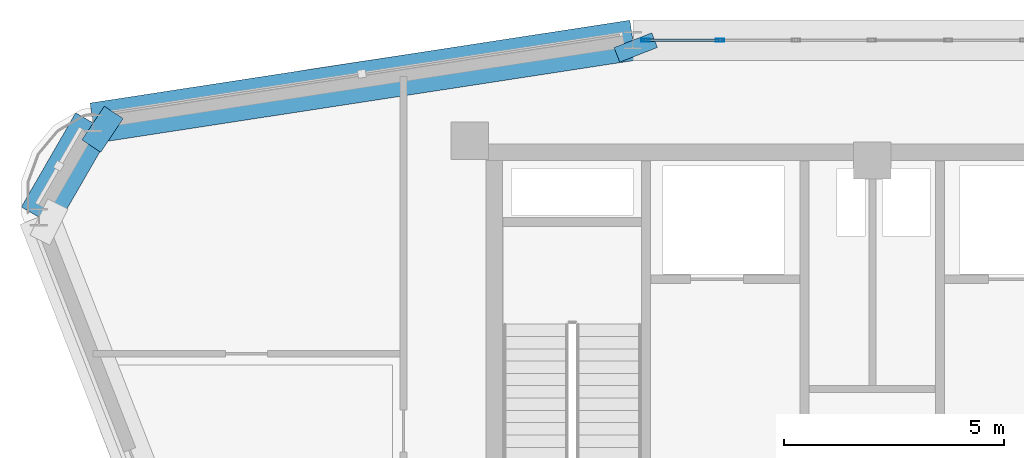
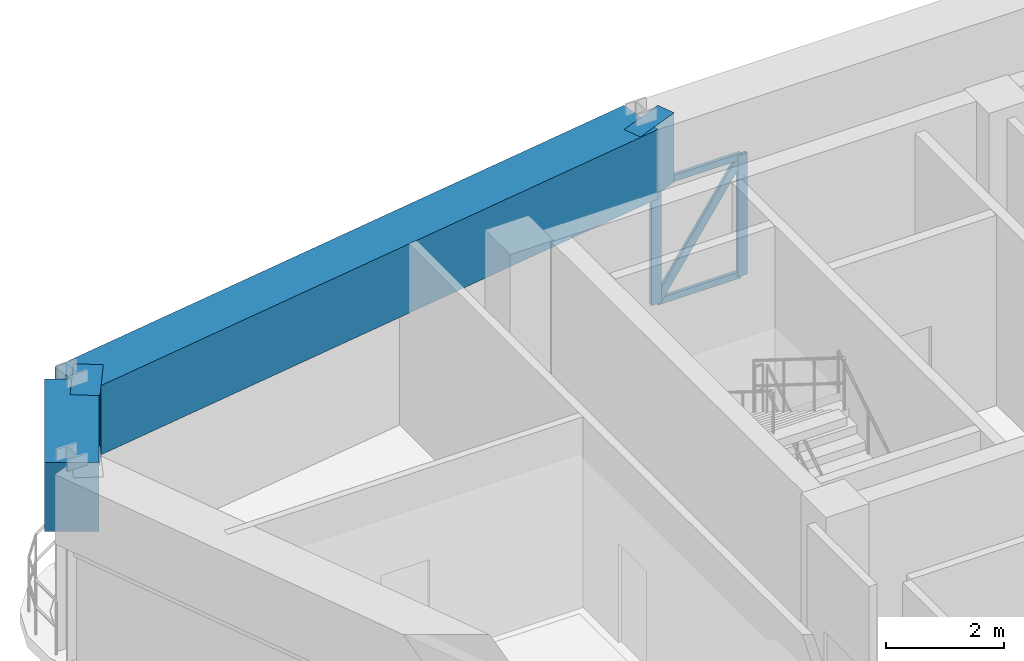
# One storey, part 8 of 16: 5 members, 4 beams, 1 element without a shape of its own.
"""IFC4 building model written with IfcOpenShell, lengths in metres."""

from ifc_helpers import new_model, si_unit, derived_unit, direction, frame, origin, origin_2d, place, context, subcontext, project, spatial, rectangle, hollow_rectangle, extrude, source, transform, mapped, material, layer, layer_set, material_profile, profile_set, type_object, element, aggregate, save


model = new_model("IFC4")

# Units and contexts
model_context = context("Model", 3, precision=1e-05, world=origin(), true_north=direction((0.0, 1.0)))
body_context = subcontext(model_context, "Body", "Model", "MODEL_VIEW")
ifc_project = project(units=[si_unit("LENGTHUNIT", "METRE"), si_unit("AREAUNIT", "SQUARE_METRE"), si_unit("VOLUMEUNIT", "CUBIC_METRE"), si_unit("PLANEANGLEUNIT", "RADIAN"), si_unit("MASSUNIT", "GRAM", prefix="KILO"), derived_unit("THERMALTRANSMITTANCEUNIT", [(si_unit("POWERUNIT", "WATT"), 1), (si_unit("LENGTHUNIT", "METRE"), -2), (si_unit("THERMODYNAMICTEMPERATUREUNIT", "KELVIN"), -1)])], contexts=[model_context])

# Site, building, storey
site_placement = place(None, origin())
site = spatial("IfcSite", under=ifc_project, at=site_placement, CompositionType="ELEMENT")
building_placement = place(site_placement, origin())
building = spatial("IfcBuilding", under=site, at=building_placement, Name="Korsvarv Bourse and Concert Hall", CompositionType="ELEMENT")
storey_placement = place(building_placement, frame((0.0, 0.0, 283.800048828125)))
storey = spatial("IfcBuildingStorey", under=building, at=storey_placement, Name="L74", CompositionType="ELEMENT", Elevation=283.800048828125)

# Beams
ifc_material_1 = material(Name="Concrete C50/60", Category="concrete")
ifc_material_profile_1 = material_profile(ifc_material_1, rectangle(XDim=0.919921875, YDim=1.43994140625, at=origin_2d()), Name="RC-BM 920x1440")
ifc_profile_set_1 = profile_set([ifc_material_profile_1], Name="Concrete C50/60")
beam_type = type_object("IfcBeamType", Name="BM-TR-144", PredefinedType="BEAM", material=ifc_profile_set_1)
shared_shape_1 = source(origin(), body_context, "Body", "SweptSolid", [
    extrude(rectangle(XDim=0.919921875, YDim=1.43994140625, at=origin_2d()), origin(), (0.0, 0.0, 1.0), 0.356201171875),
])
beam_1_placement = place(storey_placement, frame((30.56005859375, 49.535888671875, 3.239990234375), z_axis=(0.363934146946, -0.931424681167, 0.0), x_axis=(0.931424681167, 0.363934146946, 0.0)))
element("IfcBeam", 1, at=beam_1_placement, inside=storey, type_object=beam_type, Name="L74 beam B-TR4", PredefinedType="BEAM", context=body_context, shape_type="MappedRepresentation", body=[
    mapped(shared_shape_1, transform((0.0, 0.0, 0.0), scale=1.0)),
])
shared_shape_2 = source(origin(), body_context, "Body", "SweptSolid", [
    extrude(rectangle(XDim=0.919921875, YDim=1.43994140625, at=origin_2d()), origin(), (0.0, 0.0, 1.0), 2.47021484375),
])
beam_2_placement = place(storey_placement, frame((18.286376953125, 47.653076171875, 3.239990234375), z_axis=(-0.500019046465, -0.866014407023, 0.0), x_axis=(0.866014407023, -0.500019046465, 0.0)))
element("IfcBeam", 2, at=beam_2_placement, inside=storey, type_object=beam_type, Name="L74 beam B-TR4", PredefinedType="BEAM", context=body_context, shape_type="MappedRepresentation", body=[
    mapped(shared_shape_2, transform((0.0, 0.0, 0.0), scale=1.0)),
])
shared_shape_3 = source(origin(), body_context, "Body", "SweptSolid", [
    extrude(rectangle(XDim=0.919921875, YDim=1.43994140625, at=origin_2d()), origin(), (0.0, 0.0, 1.0), 12.417236328125),
])
beam_3_placement = place(storey_placement, frame((30.56005859375, 49.535888671875, 3.239990234375), z_axis=(-0.988437521612, -0.151628710574, 0.0), x_axis=(0.151628710574, -0.988437521612, 0.0)))
element("IfcBeam", 3, at=beam_3_placement, inside=storey, type_object=beam_type, Name="L74 beam B-TR4", PredefinedType="BEAM", context=body_context, shape_type="MappedRepresentation", body=[
    mapped(shared_shape_3, transform((0.0, 0.0, 0.0), scale=1.0)),
])
shared_shape_4 = source(origin(), body_context, "Body", "SweptSolid", [
    extrude(rectangle(XDim=0.919921875, YDim=1.43994140625, at=origin_2d()), origin(), (0.0, 0.0, 1.0), 0.51025390625),
])
beam_4_placement = place(storey_placement, frame((18.286376953125, 47.653076171875, 3.239990234375), z_axis=(0.832858973752, -0.553485257112, 0.0), x_axis=(0.553485257112, 0.832858973752, 0.0)))
element("IfcBeam", 4, at=beam_4_placement, inside=storey, type_object=beam_type, Name="L74 beam B-TR4", PredefinedType="BEAM", context=body_context, shape_type="MappedRepresentation", body=[
    mapped(shared_shape_4, transform((0.0, 0.0, 0.0), scale=1.0)),
])

# Curtain wall, members
ifc_material_2 = material(Name="Anodised aluminium and triple low-E glazing", Category="glass")
ifc_layer = layer(ifc_material_2, 0.18994140625)
ifc_layer_set = layer_set([ifc_layer], Name="Anodised aluminium and triple low-E glazing")
curtain_wall_type = type_object("IfcCurtainWallType", Name="CW-SYS-4", PredefinedType="NOTDEFINED", material=ifc_layer_set)
curtain_wall_placement = place(storey_placement, origin())
curtain_wall = element("IfcCurtainWall", 5, at=curtain_wall_placement, inside=storey, type_object=curtain_wall_type, Name="L74 CW4 curtain wall CW-L74-F03", PredefinedType="NOTDEFINED")
ifc_material_3 = material(Name="Extruded aluminium EN AW-6063 T66", Category="aluminium")
ifc_material_profile_2 = material_profile(ifc_material_3, hollow_rectangle(XDim=0.070068359375, YDim=0.18994140625, WallThickness=0.0048828125, at=origin_2d()), Name="ALU-M 70x190")
ifc_profile_set_2 = profile_set([ifc_material_profile_2], Name="Extruded aluminium EN AW-6063 T66")
member_type_1 = type_object("IfcMemberType", Name="CWM-190", PredefinedType="MULLION", material=ifc_profile_set_2)
shared_shape_5 = source(origin(), body_context, "Body", "SweptSolid", [
    extrude(hollow_rectangle(XDim=0.070068359375, YDim=0.18994140625, WallThickness=0.0048828125, at=origin_2d()), origin(), (0.0, 0.0, 1.0), 2.52001953125),
])
member_1_placement = place(storey_placement, frame((32.540283203125, 49.535888671875, 0.0), z_axis=(0.0, 0.0, 1.0), x_axis=(0.0, -1.0, 0.0)))
member_1 = element("IfcMember", 6, at=member_1_placement, type_object=member_type_1, Name="CW4 mullion 6", PredefinedType="MULLION", context=body_context, shape_type="MappedRepresentation", body=[
    mapped(shared_shape_5, transform((0.0, 0.0, 0.0), scale=1.0)),
])
member_2_placement = place(storey_placement, frame((30.845703125, 49.535888671875, 0.0), z_axis=(0.0, 0.0, 1.0), x_axis=(0.0, -1.0, 0.0)))
member_2 = element("IfcMember", 7, at=member_2_placement, type_object=member_type_1, Name="CW4 mullion 7", PredefinedType="MULLION", context=body_context, shape_type="MappedRepresentation", body=[
    mapped(shared_shape_5, transform((0.0, 0.0, 0.0), scale=1.0)),
])
ifc_material_profile_3 = material_profile(ifc_material_3, hollow_rectangle(XDim=0.06494140625, YDim=0.139892578125, WallThickness=0.00390625, at=origin_2d()), Name="ALU-T 65x140")
ifc_profile_set_3 = profile_set([ifc_material_profile_3], Name="Extruded aluminium EN AW-6063 T66")
member_type_2 = type_object("IfcMemberType", Name="CWT-140", PredefinedType="USERDEFINED", material=ifc_profile_set_3)
shared_shape_6 = source(origin(), body_context, "Body", "SweptSolid", [
    extrude(hollow_rectangle(XDim=0.06494140625, YDim=0.139892578125, WallThickness=0.00390625, at=origin_2d()), origin(), (0.0, 0.0, 1.0), 1.624755859375),
])
member_3_placement = place(storey_placement, frame((32.50537109375, 49.535888671875, 0.032470703125), z_axis=(-1.0, 0.0, 0.0), x_axis=(0.0, -1.0, 0.0)))
member_3 = element("IfcMember", 8, at=member_3_placement, type_object=member_type_2, Name="CW4 transom 6.1", ObjectType="TRANSOM", PredefinedType="USERDEFINED", context=body_context, shape_type="MappedRepresentation", body=[
    mapped(shared_shape_6, transform((0.0, 0.0, 0.0), scale=1.0)),
])
member_4_placement = place(storey_placement, frame((32.50537109375, 49.535888671875, 2.487548828125), z_axis=(-1.0, 0.0, 0.0), x_axis=(0.0, -1.0, 0.0)))
member_4 = element("IfcMember", 9, at=member_4_placement, type_object=member_type_2, Name="CW4 transom 6.2", ObjectType="TRANSOM", PredefinedType="USERDEFINED", context=body_context, shape_type="MappedRepresentation", body=[
    mapped(shared_shape_6, transform((0.0, 0.0, 0.0), scale=1.0)),
])
ifc_material_profile_4 = material_profile(ifc_material_3, hollow_rectangle(XDim=0.06494140625, YDim=0.1650390625, WallThickness=0.0048828125, at=origin_2d()), Name="ALU-M 65x165")
ifc_profile_set_4 = profile_set([ifc_material_profile_4], Name="Extruded aluminium EN AW-6063 T66")
member_type_3 = type_object("IfcMemberType", Name="CWM-165", PredefinedType="MULLION", material=ifc_profile_set_4)
shared_shape_7 = source(origin(), body_context, "Body", "SweptSolid", [
    extrude(hollow_rectangle(XDim=0.06494140625, YDim=0.1650390625, WallThickness=0.0048828125, at=origin_2d()), origin(), (0.0, 0.0, 1.0), 2.889892578125),
])
member_5_placement = place(storey_placement, frame((30.880615234375, 49.535888671875, 0.06494140625), z_axis=(0.562222209578, 0.0, 0.826986207296), x_axis=(0.0, 1.0, 0.0)))
member_5 = element("IfcMember", 10, at=member_5_placement, type_object=member_type_3, Name="CW4 diagonal mullion 6", PredefinedType="MULLION", context=body_context, shape_type="MappedRepresentation", body=[
    mapped(shared_shape_7, transform((0.0, 0.0, 0.0), scale=1.0)),
])
aggregate(curtain_wall, [member_1, member_2, member_3, member_4, member_5])

save(model, "model.ifc")
